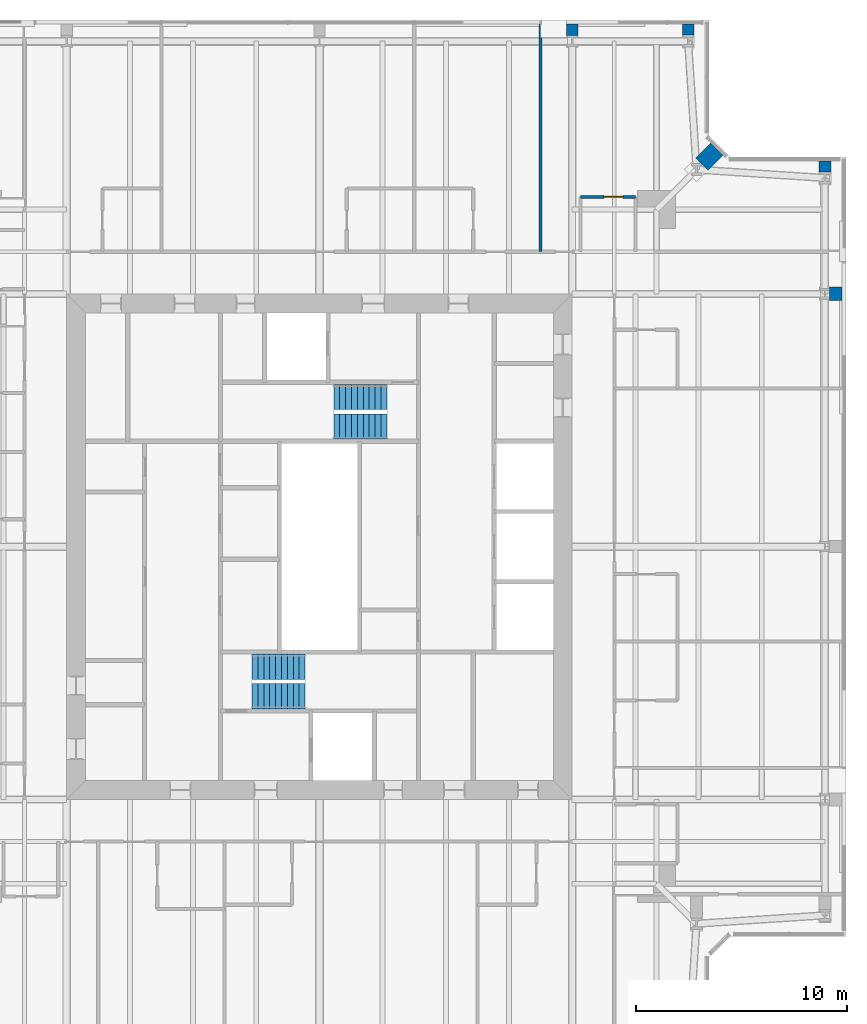
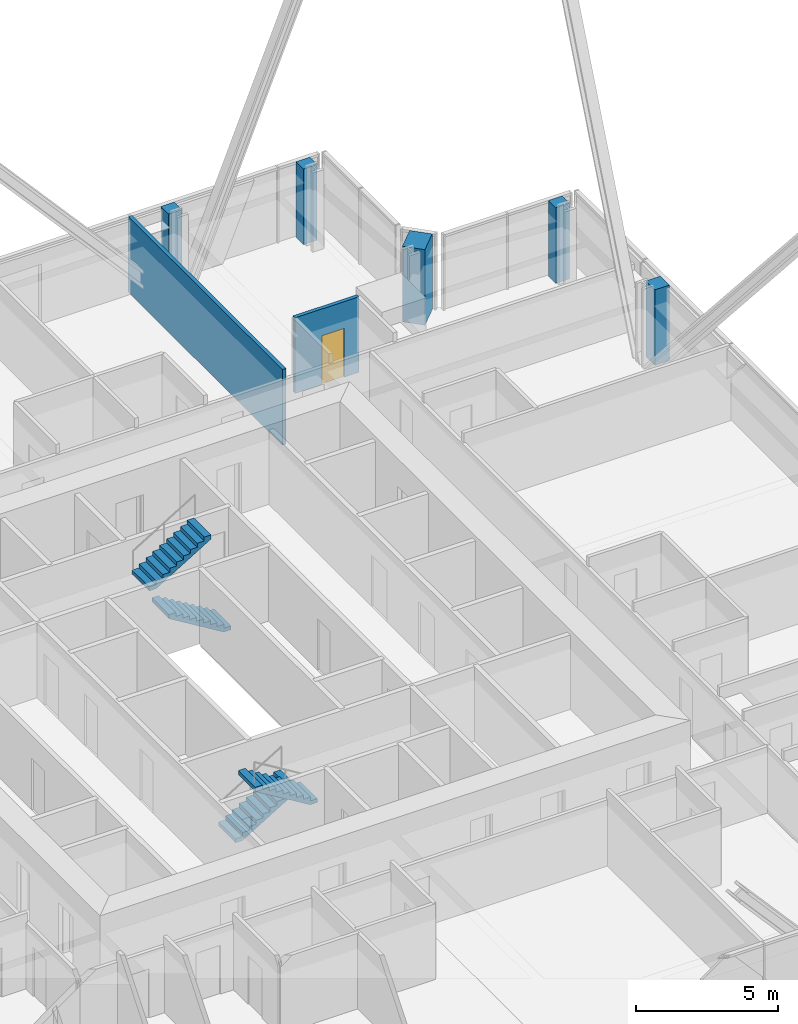
# One storey, part 15 of 18: 7 walls, 4 stair flights, 1 door, 1 opening, 2 elements without a shape of their own.
"""IFC4 building model written with IfcOpenShell, lengths in metres."""

from ifc_helpers import new_model, si_unit, direction, frame, frame_2d, origin, place, context, subcontext, project, spatial, polyline, rectangle, outline, extrude, material, layer, layer_set, type_object, element, fill, aggregate, save


model = new_model("IFC4")

# Units and contexts
model_context = context("Model", 3, precision=1e-05, world=origin(), true_north=direction((0.0, 1.0)))
body_context = subcontext(model_context, "Body", "Model", "MODEL_VIEW")
ifc_project = project(units=[si_unit("LENGTHUNIT", "METRE"), si_unit("AREAUNIT", "SQUARE_METRE"), si_unit("VOLUMEUNIT", "CUBIC_METRE"), si_unit("PLANEANGLEUNIT", "RADIAN"), si_unit("MASSUNIT", "GRAM", prefix="KILO")], contexts=[model_context])

# Site, building, storey
site_placement = place(None, origin())
site = spatial("IfcSite", under=ifc_project, at=site_placement, CompositionType="ELEMENT")
building_placement = place(site_placement, origin())
building = spatial("IfcBuilding", under=site, at=building_placement, Name="Fenwick Lantern Interchange", CompositionType="ELEMENT")
storey_placement = place(building_placement, frame((0.0, 0.0, 269.60009765625)))
storey = spatial("IfcBuildingStorey", under=building, at=storey_placement, Name="L64", CompositionType="ELEMENT", Elevation=269.60009765625)

# Walls
ifc_material_1 = material(Name="Fire-rated gypsum board encasement on steel studs, 2 hour", Category="steel")
ifc_layer_1 = layer(ifc_material_1, 0.5419921875)
ifc_layer_set_1 = layer_set([ifc_layer_1], Name="COLUMN PIER 542")
wall_type_1 = type_object("IfcWallType", Name="COLUMN PIER 542", PredefinedType="PARTITIONING", material=ifc_layer_set_1)
wall_1_placement = place(storey_placement, frame((37.0, 49.81005859375, 0.0), z_axis=(0.0, 0.0, 1.0), x_axis=(0.0, -1.0, 0.0)))
element("IfcWall", 1, at=wall_1_placement, inside=storey, type_object=wall_type_1, Name="L64/W/PIER/CN2", PredefinedType="PARTITIONING", context=body_context, shape_type="SweptSolid", body=[
    extrude(rectangle(XDim=0.544677734375, YDim=0.5419921875, at=frame_2d((0.2724609375, 0.0))), origin(), (0.0, 0.0, 1.0), 3.25),
])
ifc_layer_2 = layer(ifc_material_1, 0.554931640625)
ifc_layer_set_2 = layer_set([ifc_layer_2], Name="COLUMN PIER 555")
wall_type_2 = type_object("IfcWallType", Name="COLUMN PIER 555", PredefinedType="PARTITIONING", material=ifc_layer_set_2)
for number, where, z_axis, x_axis, name in (
    (2, (49.0, 43.31005859375, 0.0), (0.0, 0.0, 1.0), (0.0, -1.0, 0.0), "L64/W/PIER/CE5"),
    (3, (42.5, 49.81005859375, 0.0), (0.0, 0.0, 1.0), (0.0, -1.0, 0.0), "L64/W/PIER/CN1"),
):
    element("IfcWall", number, at=place(storey_placement, frame(where, z_axis=z_axis, x_axis=x_axis)), inside=storey, type_object=wall_type_2, Name=name, PredefinedType="PARTITIONING", context=body_context, shape_type="SweptSolid", body=[
        extrude(rectangle(XDim=0.525634765625, YDim=0.554931640625, at=frame_2d((0.2626953125, 0.0))), origin(), (0.0, 0.0, 1.0), 3.25),
    ])
ifc_layer_3 = layer(ifc_material_1, 0.631103515625)
ifc_layer_set_3 = layer_set([ifc_layer_3], Name="COLUMN PIER 631")
wall_type_3 = type_object("IfcWallType", Name="COLUMN PIER 631", PredefinedType="PARTITIONING", material=ifc_layer_set_3)
wall_2_placement = place(storey_placement, frame((49.81005859375, 37.0, 0.0), z_axis=(0.0, 0.0, 1.0), x_axis=(-1.0, 0.0, 0.0)))
element("IfcWall", 4, at=wall_2_placement, inside=storey, type_object=wall_type_3, Name="L64/W/PIER/CE4", PredefinedType="PARTITIONING", context=body_context, shape_type="SweptSolid", body=[
    extrude(rectangle(XDim=0.589111328125, YDim=0.631103515625, at=frame_2d((0.29443359375, 0.0))), origin(), (0.0, 0.0, 1.0), 3.25),
])
ifc_layer_4 = layer(ifc_material_1, 0.823974609375)
ifc_layer_set_4 = layer_set([ifc_layer_4], Name="COLUMN PIER 824")
wall_type_4 = type_object("IfcWallType", Name="COLUMN PIER 824", PredefinedType="PARTITIONING", material=ifc_layer_set_4)
wall_3_placement = place(storey_placement, frame((43.86572265625, 43.86572265625, 0.0), z_axis=(0.0, 0.0, 1.0), x_axis=(-0.707106781187, -0.707106781187, 0.0)))
element("IfcWall", 5, at=wall_3_placement, inside=storey, type_object=wall_type_4, Name="L64/W/PIER/CER", PredefinedType="PARTITIONING", context=body_context, shape_type="SweptSolid", body=[
    extrude(rectangle(XDim=1.003662109375, YDim=0.823974609375, at=frame_2d((0.501953125, 0.0))), origin(), (0.0, 0.0, 1.0), 3.25),
])

# Wall, opening, door
ifc_material_2 = material(Name="Gypsum board on steel studs, moisture resistant", Category="steel")
ifc_layer_5 = layer(ifc_material_2, 0.14990234375)
ifc_layer_set_5 = layer_set([ifc_layer_5], Name="EN-SUITE WALL 150")
wall_type_5 = type_object("IfcWallType", Name="EN-SUITE WALL 150", PredefinedType="PARTITIONING", material=ifc_layer_set_5)
wall_4_placement = place(storey_placement, frame((40.0, 41.60009765625, 0.0), z_axis=(0.0, 0.0, 1.0), x_axis=(-1.0, 0.0, 0.0)))
wall_4 = element("IfcWall", 6, at=wall_4_placement, inside=storey, type_object=wall_type_5, Name="L64/W/HOTEL/N/U1BW", PredefinedType="PARTITIONING", context=body_context, shape_type="SweptSolid", body=[
    extrude(rectangle(XDim=2.60009765625, YDim=0.14990234375, at=frame_2d((1.300048828125, 0.0))), origin(), (0.0, 0.0, 1.0), 3.25),
])
opening_placement = place(wall_4_placement, frame((0.60009765625, 0.0, 0.0)))
opening = element("IfcOpeningElement", 7, at=opening_placement, cuts=wall_4, Name="Opening L64-D042", PredefinedType="OPENING", context=body_context, shape_type="SweptSolid", body=[
    extrude(rectangle(XDim=0.89990234375, YDim=2.10009765625, at=frame_2d((0.449951171875, 1.050048828125))), frame((0.0, 0.0849609375, 0.0), z_axis=(0.0, -1.0, 0.0), x_axis=(1.0, 0.0, 0.0)), (0.0, 0.0, 1.0), 0.169921875),
])
ifc_material_3 = material(Name="Hardwood door and steel frame", Category="steel")
door_type = type_object("IfcDoorType", Name="EN-SUITE DOOR 900 X 2100", OperationType="SINGLE_SWING_LEFT", PredefinedType="DOOR", material=ifc_material_3)
door_placement = place(opening_placement, origin())
door = element("IfcDoor", 8, at=door_placement, inside=storey, type_object=door_type, Name="En-suite door", OperationType="SINGLE_SWING_LEFT", OverallHeight=2.10009765625, OverallWidth=0.89990234375, PredefinedType="DOOR", context=body_context, shape_type="SweptSolid", body=[
    extrude(rectangle(XDim=0.89990234375, YDim=2.10009765625, at=frame_2d((0.449951171875, 1.050048828125))), frame((0.0, 0.02490234375, 0.0), z_axis=(0.0, -1.0, 0.0), x_axis=(1.0, 0.0, 0.0)), (0.0, 0.0, 1.0), 0.050048828125),
])
fill(opening, door)

# Wall
ifc_material_4 = material(Name="Gypsum board on steel studs, 1 hour acoustic", Category="steel")
ifc_layer_6 = layer(ifc_material_4, 0.14990234375)
ifc_layer_set_6 = layer_set([ifc_layer_6], Name="PARTY WALL 150")
wall_type_6 = type_object("IfcWallType", Name="PARTY WALL 150", PredefinedType="PARTITIONING", material=ifc_layer_set_6)
wall_5_placement = place(storey_placement, frame((35.5, 49.85009765625, 0.0), z_axis=(0.0, 0.0, 1.0), x_axis=(0.0, -1.0, 0.0)))
element("IfcWall", 9, at=wall_5_placement, inside=storey, type_object=wall_type_6, Name="L64/W/HOTEL/N/U2PW", PredefinedType="PARTITIONING", context=body_context, shape_type="SweptSolid", body=[
    extrude(rectangle(XDim=10.85009765625, YDim=0.14990234375, at=frame_2d((5.425048828125, 0.0))), origin(), (0.0, 0.0, 1.0), 3.25),
])

# Stair, stair flights
ifc_material_5 = material(Name="Precast concrete f'c 35 MPa", Category="concrete")
stair_type = type_object("IfcStairType", Name="EXIT STAIR 1200", PredefinedType="HALF_TURN_STAIR", material=ifc_material_5)
stair_1_placement = place(storey_placement, origin())
stair_1 = element("IfcStair", 10, at=stair_1_placement, inside=storey, type_object=stair_type, Name="Exit stair ST1", PredefinedType="HALF_TURN_STAIR")
stair_flight_type = type_object("IfcStairFlightType", Name="STAIR FLIGHT 1200", PredefinedType="STRAIGHT", material=ifc_material_5)
stair_flight_1_placement = place(storey_placement, frame((21.800048828125, 19.300048828125, 0.0), z_axis=(0.0, 0.0, 1.0), x_axis=(1.0, 0.0, 0.0)))
stair_flight_1 = element("IfcStairFlight", 11, at=stair_flight_1_placement, type_object=stair_flight_type, Name="ST1 flight 1", NumberOfRisers=10, NumberOfTreads=9, PredefinedType="STRAIGHT", RiserHeight=0.17, TreadLength=0.28, context=body_context, shape_type="SweptSolid", body=[
    extrude(outline(polyline([(0.0, 0.0), (0.0, 0.169921875), (0.280029296875, 0.169921875), (0.280029296875, 0.340087890625), (0.56005859375, 0.340087890625), (0.56005859375, 0.510009765625), (0.840087890625, 0.510009765625), (0.840087890625, 0.679931640625), (1.1201171875, 0.679931640625), (1.1201171875, 0.85009765625), (1.39990234375, 0.85009765625), (1.39990234375, 1.02001953125), (1.679931640625, 1.02001953125), (1.679931640625, 1.18994140625), (1.9599609375, 1.18994140625), (1.9599609375, 1.360107421875), (2.239990234375, 1.360107421875), (2.239990234375, 1.530029296875), (2.52001953125, 1.530029296875), (2.52001953125, 1.699951171875), (2.52001953125, 1.354736328125), (0.288818359375, 0.0), (0.0, 0.0)])), frame((0.0, 0.60009765625, 0.0), z_axis=(0.0, -1.0, 0.0), x_axis=(1.0, 0.0, 0.0)), (0.0, 0.0, 1.0), 1.199951171875),
])
stair_flight_2_placement = place(storey_placement, frame((24.320068359375, 17.89990234375, 1.699951171875), z_axis=(0.0, 0.0, 1.0), x_axis=(-1.0, 0.0, 0.0)))
stair_flight_2 = element("IfcStairFlight", 12, at=stair_flight_2_placement, type_object=stair_flight_type, Name="ST1 flight 2", NumberOfRisers=10, NumberOfTreads=9, PredefinedType="STRAIGHT", RiserHeight=0.17, TreadLength=0.28, context=body_context, shape_type="SweptSolid", body=[
    extrude(outline(polyline([(0.0, 0.0), (0.0, 0.169921875), (0.280029296875, 0.169921875), (0.280029296875, 0.340087890625), (0.56005859375, 0.340087890625), (0.56005859375, 0.510009765625), (0.840087890625, 0.510009765625), (0.840087890625, 0.679931640625), (1.1201171875, 0.679931640625), (1.1201171875, 0.85009765625), (1.39990234375, 0.85009765625), (1.39990234375, 1.02001953125), (1.679931640625, 1.02001953125), (1.679931640625, 1.18994140625), (1.9599609375, 1.18994140625), (1.9599609375, 1.360107421875), (2.239990234375, 1.360107421875), (2.239990234375, 1.530029296875), (2.52001953125, 1.530029296875), (2.52001953125, 1.699951171875), (2.52001953125, 1.354736328125), (0.288818359375, 0.0), (0.0, 0.0)])), frame((0.0, 0.60009765625, 0.0), z_axis=(0.0, -1.0, 0.0), x_axis=(1.0, 0.0, 0.0)), (0.0, 0.0, 1.0), 1.199951171875),
])
aggregate(stair_1, [stair_flight_1, stair_flight_2])

stair_2_placement = place(storey_placement, origin())
stair_2 = element("IfcStair", 13, at=stair_2_placement, inside=storey, type_object=stair_type, Name="Exit stair ST2", PredefinedType="HALF_TURN_STAIR")
stair_flight_3_placement = place(storey_placement, frame((28.199951171875, 30.699951171875, 0.0), z_axis=(0.0, 0.0, 1.0), x_axis=(-1.0, 0.0, 0.0)))
stair_flight_3 = element("IfcStairFlight", 14, at=stair_flight_3_placement, type_object=stair_flight_type, Name="ST2 flight 1", NumberOfRisers=10, NumberOfTreads=9, PredefinedType="STRAIGHT", RiserHeight=0.17, TreadLength=0.28, context=body_context, shape_type="SweptSolid", body=[
    extrude(outline(polyline([(0.0, 0.0), (0.0, 0.169921875), (0.280029296875, 0.169921875), (0.280029296875, 0.340087890625), (0.56005859375, 0.340087890625), (0.56005859375, 0.510009765625), (0.840087890625, 0.510009765625), (0.840087890625, 0.679931640625), (1.1201171875, 0.679931640625), (1.1201171875, 0.85009765625), (1.39990234375, 0.85009765625), (1.39990234375, 1.02001953125), (1.679931640625, 1.02001953125), (1.679931640625, 1.18994140625), (1.9599609375, 1.18994140625), (1.9599609375, 1.360107421875), (2.239990234375, 1.360107421875), (2.239990234375, 1.530029296875), (2.52001953125, 1.530029296875), (2.52001953125, 1.699951171875), (2.52001953125, 1.354736328125), (0.288818359375, 0.0), (0.0, 0.0)])), frame((0.0, 0.60009765625, 0.0), z_axis=(0.0, -1.0, 0.0), x_axis=(1.0, 0.0, 0.0)), (0.0, 0.0, 1.0), 1.199951171875),
])
stair_flight_4_placement = place(storey_placement, frame((25.679931640625, 32.10009765625, 1.699951171875), z_axis=(0.0, 0.0, 1.0), x_axis=(1.0, 0.0, 0.0)))
stair_flight_4 = element("IfcStairFlight", 15, at=stair_flight_4_placement, type_object=stair_flight_type, Name="ST2 flight 2", NumberOfRisers=10, NumberOfTreads=9, PredefinedType="STRAIGHT", RiserHeight=0.17, TreadLength=0.28, context=body_context, shape_type="SweptSolid", body=[
    extrude(outline(polyline([(0.0, 0.0), (0.0, 0.169921875), (0.280029296875, 0.169921875), (0.280029296875, 0.340087890625), (0.56005859375, 0.340087890625), (0.56005859375, 0.510009765625), (0.840087890625, 0.510009765625), (0.840087890625, 0.679931640625), (1.1201171875, 0.679931640625), (1.1201171875, 0.85009765625), (1.39990234375, 0.85009765625), (1.39990234375, 1.02001953125), (1.679931640625, 1.02001953125), (1.679931640625, 1.18994140625), (1.9599609375, 1.18994140625), (1.9599609375, 1.360107421875), (2.239990234375, 1.360107421875), (2.239990234375, 1.530029296875), (2.52001953125, 1.530029296875), (2.52001953125, 1.699951171875), (2.52001953125, 1.354736328125), (0.288818359375, 0.0), (0.0, 0.0)])), frame((0.0, 0.60009765625, 0.0), z_axis=(0.0, -1.0, 0.0), x_axis=(1.0, 0.0, 0.0)), (0.0, 0.0, 1.0), 1.199951171875),
])
aggregate(stair_2, [stair_flight_3, stair_flight_4])

save(model, "model.ifc")
